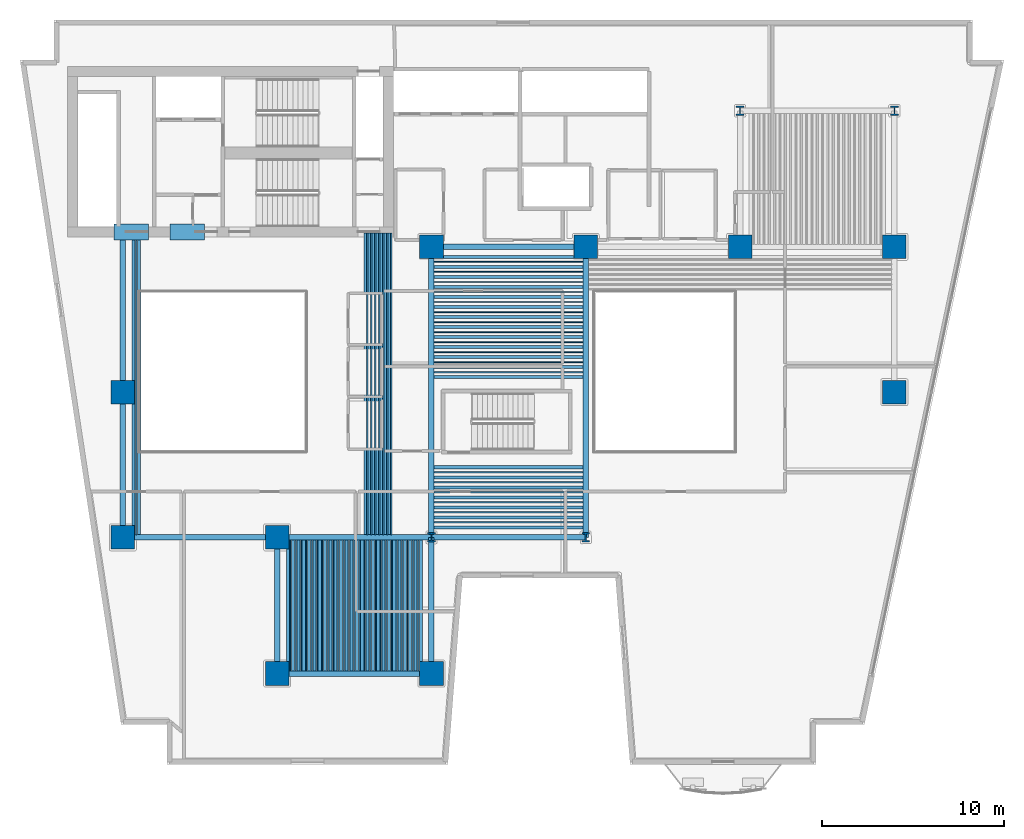
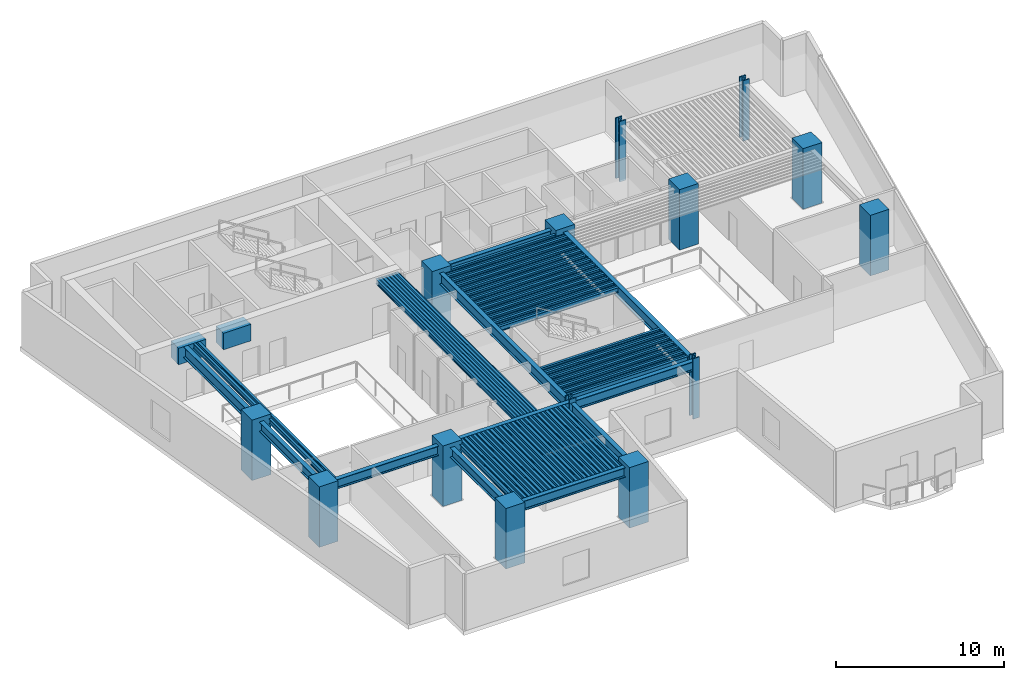
# One storey, part 1 of 12: 119 beams, 14 columns.
"""IFC4 building model written with IfcOpenShell, lengths in metres."""

from ifc_helpers import new_model, si_unit, direction, frame, origin, origin_2d, place, context, subcontext, project, spatial, rectangle, hollow_rectangle, i_section, extrude, material, material_profile, profile_set, type_object, element, save


model = new_model("IFC4")

# Units and contexts
model_context = context("Model", 3, precision=1e-05, world=origin(), true_north=direction((0.0, 1.0)))
body_context = subcontext(model_context, "Body", "Model", "MODEL_VIEW")
ifc_project = project(units=[si_unit("LENGTHUNIT", "METRE"), si_unit("AREAUNIT", "SQUARE_METRE"), si_unit("VOLUMEUNIT", "CUBIC_METRE"), si_unit("PLANEANGLEUNIT", "RADIAN"), si_unit("MASSUNIT", "GRAM", prefix="KILO")], contexts=[model_context])

# Site, building, storey
site_placement = place(None, origin())
site = spatial("IfcSite", under=ifc_project, at=site_placement, CompositionType="ELEMENT")
building_placement = place(site_placement, origin())
building = spatial("IfcBuilding", under=site, at=building_placement, Name="Caeloran Harvest Quay", CompositionType="ELEMENT")
storey_placement = place(building_placement, frame((0.0, 0.0, 71.0)))
storey = spatial("IfcBuildingStorey", under=building, at=storey_placement, Name="L16", CompositionType="ELEMENT", Elevation=71.0)

# Columns
ifc_material_1 = material(Name="Concrete C80/95", Category="concrete")
ifc_material_profile_1 = material_profile(ifc_material_1, rectangle(XDim=1.300048828125, YDim=1.300048828125, at=origin_2d()), Name="RC 1300x1300")
ifc_profile_set_1 = profile_set([ifc_material_profile_1], Name="Concrete C80/95")
column_type_1 = type_object("IfcColumnType", Name="COL-MC-2-RC_1300x1300", PredefinedType="COLUMN", material=ifc_profile_set_1)
for number, where, z_axis, x_axis, name in (
    (1, (8.5, 15.0, 0.0), (0.0, 0.0, 1.0), (1.0, 0.0, 0.0), "L16 Structural Column (8.5, 15.0)"),
    (2, (8.5, 23.0, 0.0), (0.0, 0.0, 1.0), (1.0, 0.0, 0.0), "L16 Structural Column (8.5, 23.0)"),
    (3, (17.0, 7.5, 0.0), (0.0, 0.0, 1.0), (1.0, 0.0, 0.0), "L16 Structural Column (17.0, 7.5)"),
    (4, (17.0, 15.0, 0.0), (0.0, 0.0, 1.0), (1.0, 0.0, 0.0), "L16 Structural Column (17.0, 15.0)"),
    (5, (25.5, 7.5, 0.0), (0.0, 0.0, 1.0), (1.0, 0.0, 0.0), "L16 Structural Column (25.5, 7.5)"),
    (6, (25.5, 31.0, 0.0), (0.0, 0.0, 1.0), (1.0, 0.0, 0.0), "L16 Structural Column (25.5, 31.0)"),
    (7, (34.0, 31.0, 0.0), (0.0, 0.0, 1.0), (1.0, 0.0, 0.0), "L16 Structural Column (34.0, 31.0)"),
    (8, (42.5, 31.0, 0.0), (0.0, 0.0, 1.0), (1.0, 0.0, 0.0), "L16 Structural Column (42.5, 31.0)"),
    (9, (51.0, 23.0, 0.0), (0.0, 0.0, 1.0), (1.0, 0.0, 0.0), "L16 Structural Column (51.0, 23.0)"),
    (10, (51.0, 31.0, 0.0), (0.0, 0.0, 1.0), (1.0, 0.0, 0.0), "L16 Structural Column (51.0, 31.0)"),
):
    element("IfcColumn", number, at=place(storey_placement, frame(where, z_axis=z_axis, x_axis=x_axis)), inside=storey, type_object=column_type_1, Name=name, PredefinedType="COLUMN", context=body_context, shape_type="SweptSolid", body=[
        extrude(rectangle(XDim=1.300048828125, YDim=1.300048828125, at=origin_2d()), origin(), (0.0, 0.0, 1.0), 4.39990234375),
    ])
ifc_material_2 = material(Name="Steel HISTAR 460", Category="steel")
ifc_material_profile_2 = material_profile(ifc_material_2, i_section(OverallWidth=0.43701171875, OverallDepth=0.513916015625, WebThickness=0.060546875, FlangeThickness=0.076904296875, FilletRadius=0.014892578125, at=origin_2d()), Name="HD 400x818")
ifc_profile_set_2 = profile_set([ifc_material_profile_2], Name="Steel HISTAR 460")
column_type_2 = type_object("IfcColumnType", Name="COL-SC-2-HD_400x818", PredefinedType="COLUMN", material=ifc_profile_set_2)
for number, where, z_axis, x_axis, name in (
    (11, (25.5, 15.0, 0.0), (0.0, 0.0, 1.0), (1.0, 0.0, 0.0), "L16 Structural Column (25.5, 15.0)"),
    (12, (34.0, 15.0, 0.0), (0.0, 0.0, 1.0), (1.0, 0.0, 0.0), "L16 Structural Column (34.0, 15.0)"),
    (13, (42.5, 38.5, 0.0), (0.0, 0.0, 1.0), (1.0, 0.0, 0.0), "L16 Structural Column (42.5, 38.5)"),
    (14, (51.0, 38.5, 0.0), (0.0, 0.0, 1.0), (1.0, 0.0, 0.0), "L16 Structural Column (51.0, 38.5)"),
):
    element("IfcColumn", number, at=place(storey_placement, frame(where, z_axis=z_axis, x_axis=x_axis)), inside=storey, type_object=column_type_2, Name=name, PredefinedType="COLUMN", context=body_context, shape_type="SweptSolid", body=[
        extrude(i_section(OverallWidth=0.43701171875, OverallDepth=0.513916015625, WebThickness=0.060546875, FlangeThickness=0.076904296875, FilletRadius=0.014892578125, at=origin_2d()), origin(), (0.0, 0.0, 1.0), 4.39990234375),
    ])

# Beams
ifc_material_profile_3 = material_profile(ifc_material_1, rectangle(XDim=0.89990234375, YDim=1.199951171875, at=origin_2d()), Name="RC 900x1200")
ifc_profile_set_3 = profile_set([ifc_material_profile_3], Name="Concrete C80/95")
beam_type_1 = type_object("IfcBeamType", Name="BM-CB-1-RC_900x1200", PredefinedType="LINTEL", material=ifc_profile_set_3)
for number, where, z_axis, x_axis, name in (
    (15, (8.0, 31.824951171875, 3.5), (1.0, 0.0, 0.0), (0.0, 1.0, 0.0), "L16 Core Coupling Beam 1"),
    (16, (11.10009765625, 31.824951171875, 3.5), (1.0, 0.0, 0.0), (0.0, 1.0, 0.0), "L16 Core Coupling Beam 2"),
):
    element("IfcBeam", number, at=place(storey_placement, frame(where, z_axis=z_axis, x_axis=x_axis)), inside=storey, type_object=beam_type_1, Name=name, PredefinedType="LINTEL", context=body_context, shape_type="SweptSolid", body=[
        extrude(rectangle(XDim=0.89990234375, YDim=1.199951171875, at=origin_2d()), origin(), (0.0, 0.0, 1.0), 1.89990234375),
    ])
ifc_material_3 = material(Name="Steel S355J2", Category="steel")
ifc_material_profile_4 = material_profile(ifc_material_3, i_section(OverallWidth=0.300048828125, OverallDepth=0.800048828125, WebThickness=0.017578125, FlangeThickness=0.032958984375, FilletRadius=0.030029296875, at=origin_2d()), Name="HE 800 B")
ifc_profile_set_4 = profile_set([ifc_material_profile_4], Name="Steel S355J2")
beam_type_2 = type_object("IfcBeamType", Name="BM-PG-1-HE_800_B", PredefinedType="BEAM", material=ifc_profile_set_4)
beam_1_placement = place(storey_placement, frame((8.5, 23.0, 3.699951171875), z_axis=(0.0, 1.0, 0.0), x_axis=(-1.0, 0.0, 0.0)))
element("IfcBeam", 17, at=beam_1_placement, inside=storey, type_object=beam_type_2, Name="L16 Core South Tie Girder X=8.5", PredefinedType="BEAM", context=body_context, shape_type="SweptSolid", body=[
    extrude(i_section(OverallWidth=0.300048828125, OverallDepth=0.800048828125, WebThickness=0.017578125, FlangeThickness=0.032958984375, FilletRadius=0.030029296875, at=origin_2d()), origin(), (0.0, 0.0, 1.0), 8.77490234375),
])
for number, where, z_axis, x_axis, name in (
    (18, (25.5, 15.0, 3.699951171875), (0.0, 1.0, 0.0), (-1.0, 0.0, 0.0), "L16 Primary North-South Girder X=25.5"),
    (19, (34.0, 15.0, 3.699951171875), (0.0, 1.0, 0.0), (-1.0, 0.0, 0.0), "L16 Primary North-South Girder X=34.0"),
):
    element("IfcBeam", number, at=place(storey_placement, frame(where, z_axis=z_axis, x_axis=x_axis)), inside=storey, type_object=beam_type_2, Name=name, PredefinedType="BEAM", context=body_context, shape_type="SweptSolid", body=[
        extrude(i_section(OverallWidth=0.300048828125, OverallDepth=0.800048828125, WebThickness=0.017578125, FlangeThickness=0.032958984375, FilletRadius=0.030029296875, at=origin_2d()), origin(), (0.0, 0.0, 1.0), 16.0),
    ])
ifc_material_profile_5 = material_profile(ifc_material_3, i_section(OverallWidth=0.300048828125, OverallDepth=0.699951171875, WebThickness=0.01708984375, FlangeThickness=0.031982421875, FilletRadius=0.027099609375, at=origin_2d()), Name="HE 700 B")
ifc_profile_set_5 = profile_set([ifc_material_profile_5], Name="Steel S355J2")
beam_type_3 = type_object("IfcBeamType", Name="BM-PG-2-HE_700_B", PredefinedType="BEAM", material=ifc_profile_set_5)
for number, where, z_axis, x_axis, name in (
    (20, (17.0, 7.5, 3.75), (1.0, 0.0, 0.0), (0.0, 1.0, 0.0), "L16 Primary East-West Girder Y=7.5"),
    (21, (8.5, 15.0, 3.75), (1.0, 0.0, 0.0), (0.0, 1.0, 0.0), "L16 Primary East-West Girder Y=15.0"),
    (22, (17.0, 15.0, 3.75), (1.0, 0.0, 0.0), (0.0, 1.0, 0.0), "L16 Primary East-West Girder Y=15.0"),
    (23, (25.5, 15.0, 3.75), (1.0, 0.0, 0.0), (0.0, 1.0, 0.0), "L16 Primary East-West Girder Y=15.0"),
    (24, (25.5, 31.0, 3.75), (1.0, 0.0, 0.0), (0.0, 1.0, 0.0), "L16 Primary East-West Girder Y=31.0"),
):
    element("IfcBeam", number, at=place(storey_placement, frame(where, z_axis=z_axis, x_axis=x_axis)), inside=storey, type_object=beam_type_3, Name=name, PredefinedType="BEAM", context=body_context, shape_type="SweptSolid", body=[
        extrude(i_section(OverallWidth=0.300048828125, OverallDepth=0.699951171875, WebThickness=0.01708984375, FlangeThickness=0.031982421875, FilletRadius=0.027099609375, at=origin_2d()), origin(), (0.0, 0.0, 1.0), 8.5),
    ])
beam_2_placement = place(storey_placement, frame((8.5, 15.0, 3.75), z_axis=(0.0, 1.0, 0.0), x_axis=(-1.0, 0.0, 0.0)))
element("IfcBeam", 25, at=beam_2_placement, inside=storey, type_object=beam_type_3, Name="L16 Primary North-South Girder X=8.5", PredefinedType="BEAM", context=body_context, shape_type="SweptSolid", body=[
    extrude(i_section(OverallWidth=0.300048828125, OverallDepth=0.699951171875, WebThickness=0.01708984375, FlangeThickness=0.031982421875, FilletRadius=0.027099609375, at=origin_2d()), origin(), (0.0, 0.0, 1.0), 8.0),
])
for number, where, z_axis, x_axis, name in (
    (26, (17.0, 7.5, 3.75), (0.0, 1.0, 0.0), (-1.0, 0.0, 0.0), "L16 Primary North-South Girder X=17.0"),
    (27, (25.5, 7.5, 3.75), (0.0, 1.0, 0.0), (-1.0, 0.0, 0.0), "L16 Primary North-South Girder X=25.5"),
):
    element("IfcBeam", number, at=place(storey_placement, frame(where, z_axis=z_axis, x_axis=x_axis)), inside=storey, type_object=beam_type_3, Name=name, PredefinedType="BEAM", context=body_context, shape_type="SweptSolid", body=[
        extrude(i_section(OverallWidth=0.300048828125, OverallDepth=0.699951171875, WebThickness=0.01708984375, FlangeThickness=0.031982421875, FilletRadius=0.027099609375, at=origin_2d()), origin(), (0.0, 0.0, 1.0), 7.5),
    ])
ifc_material_profile_6 = material_profile(ifc_material_3, i_section(OverallWidth=0.169921875, OverallDepth=0.360107421875, WebThickness=0.008056640625, FlangeThickness=0.0126953125, FilletRadius=0.01806640625, at=origin_2d()), Name="IPE 360")
ifc_profile_set_6 = profile_set([ifc_material_profile_6], Name="Steel S355J2")
beam_type_4 = type_object("IfcBeamType", Name="BM-SB-5-IPE_360", PredefinedType="JOIST", material=ifc_profile_set_6)
for number, where, z_axis, x_axis, name in (
    (28, (17.586181640625, 7.64501953125, 3.919921875), (0.0, 1.0, 0.0), (-1.0, 0.0, 0.0), "L16 Secondary Composite Joist"),
    (29, (17.87939453125, 7.64501953125, 3.919921875), (0.0, 1.0, 0.0), (-1.0, 0.0, 0.0), "L16 Secondary Composite Joist"),
    (30, (18.17236328125, 7.64501953125, 3.919921875), (0.0, 1.0, 0.0), (-1.0, 0.0, 0.0), "L16 Secondary Composite Joist"),
    (31, (18.465576171875, 7.64501953125, 3.919921875), (0.0, 1.0, 0.0), (-1.0, 0.0, 0.0), "L16 Secondary Composite Joist"),
    (32, (18.758544921875, 7.64501953125, 3.919921875), (0.0, 1.0, 0.0), (-1.0, 0.0, 0.0), "L16 Secondary Composite Joist"),
    (33, (19.0517578125, 7.64501953125, 3.919921875), (0.0, 1.0, 0.0), (-1.0, 0.0, 0.0), "L16 Secondary Composite Joist"),
    (34, (19.3447265625, 7.64501953125, 3.919921875), (0.0, 1.0, 0.0), (-1.0, 0.0, 0.0), "L16 Secondary Composite Joist"),
    (35, (19.637939453125, 7.64501953125, 3.919921875), (0.0, 1.0, 0.0), (-1.0, 0.0, 0.0), "L16 Secondary Composite Joist"),
    (36, (19.930908203125, 7.64501953125, 3.919921875), (0.0, 1.0, 0.0), (-1.0, 0.0, 0.0), "L16 Secondary Composite Joist"),
    (37, (20.22412109375, 7.64501953125, 3.919921875), (0.0, 1.0, 0.0), (-1.0, 0.0, 0.0), "L16 Secondary Composite Joist"),
    (38, (20.51708984375, 7.64501953125, 3.919921875), (0.0, 1.0, 0.0), (-1.0, 0.0, 0.0), "L16 Secondary Composite Joist"),
    (39, (20.810302734375, 7.64501953125, 3.919921875), (0.0, 1.0, 0.0), (-1.0, 0.0, 0.0), "L16 Secondary Composite Joist"),
    (40, (21.103515625, 7.64501953125, 3.919921875), (0.0, 1.0, 0.0), (-1.0, 0.0, 0.0), "L16 Secondary Composite Joist"),
    (41, (21.396484375, 7.64501953125, 3.919921875), (0.0, 1.0, 0.0), (-1.0, 0.0, 0.0), "L16 Secondary Composite Joist"),
    (42, (21.689697265625, 7.64501953125, 3.919921875), (0.0, 1.0, 0.0), (-1.0, 0.0, 0.0), "L16 Secondary Composite Joist"),
    (43, (21.98291015625, 7.64501953125, 3.919921875), (0.0, 1.0, 0.0), (-1.0, 0.0, 0.0), "L16 Secondary Composite Joist"),
    (44, (22.27587890625, 7.64501953125, 3.919921875), (0.0, 1.0, 0.0), (-1.0, 0.0, 0.0), "L16 Secondary Composite Joist"),
    (45, (22.569091796875, 7.64501953125, 3.919921875), (0.0, 1.0, 0.0), (-1.0, 0.0, 0.0), "L16 Secondary Composite Joist"),
    (46, (22.862060546875, 7.64501953125, 3.919921875), (0.0, 1.0, 0.0), (-1.0, 0.0, 0.0), "L16 Secondary Composite Joist"),
    (47, (23.1552734375, 7.64501953125, 3.919921875), (0.0, 1.0, 0.0), (-1.0, 0.0, 0.0), "L16 Secondary Composite Joist"),
    (48, (23.4482421875, 7.64501953125, 3.919921875), (0.0, 1.0, 0.0), (-1.0, 0.0, 0.0), "L16 Secondary Composite Joist"),
    (49, (23.741455078125, 7.64501953125, 3.919921875), (0.0, 1.0, 0.0), (-1.0, 0.0, 0.0), "L16 Secondary Composite Joist"),
    (50, (24.034423828125, 7.64501953125, 3.919921875), (0.0, 1.0, 0.0), (-1.0, 0.0, 0.0), "L16 Secondary Composite Joist"),
    (51, (24.32763671875, 7.64501953125, 3.919921875), (0.0, 1.0, 0.0), (-1.0, 0.0, 0.0), "L16 Secondary Composite Joist"),
    (52, (24.62060546875, 7.64501953125, 3.919921875), (0.0, 1.0, 0.0), (-1.0, 0.0, 0.0), "L16 Secondary Composite Joist"),
    (53, (24.913818359375, 7.64501953125, 3.919921875), (0.0, 1.0, 0.0), (-1.0, 0.0, 0.0), "L16 Secondary Composite Joist"),
):
    element("IfcBeam", number, at=place(storey_placement, frame(where, z_axis=z_axis, x_axis=x_axis)), inside=storey, type_object=beam_type_4, Name=name, PredefinedType="JOIST", context=body_context, shape_type="SweptSolid", body=[
        extrude(i_section(OverallWidth=0.169921875, OverallDepth=0.360107421875, WebThickness=0.008056640625, FlangeThickness=0.0126953125, FilletRadius=0.01806640625, at=origin_2d()), origin(), (0.0, 0.0, 1.0), 7.2099609375),
    ])
for number, where, z_axis, x_axis, name in (
    (54, (9.086181640625, 15.14501953125, 3.919921875), (0.0, 1.0, 0.0), (-1.0, 0.0, 0.0), "L16 Secondary Composite Joist"),
    (55, (9.37939453125, 15.14501953125, 3.919921875), (0.0, 1.0, 0.0), (-1.0, 0.0, 0.0), "L16 Secondary Composite Joist"),
    (56, (21.855224609375, 15.14501953125, 3.919921875), (0.0, 1.0, 0.0), (-1.0, 0.0, 0.0), "L16 Secondary Composite Joist"),
    (57, (22.075927734375, 15.14501953125, 3.919921875), (0.0, 1.0, 0.0), (-1.0, 0.0, 0.0), "L16 Secondary Composite Joist"),
    (58, (22.296630859375, 15.14501953125, 3.919921875), (0.0, 1.0, 0.0), (-1.0, 0.0, 0.0), "L16 Secondary Composite Joist"),
    (59, (22.51708984375, 15.14501953125, 3.919921875), (0.0, 1.0, 0.0), (-1.0, 0.0, 0.0), "L16 Secondary Composite Joist"),
    (60, (22.73779296875, 15.14501953125, 3.919921875), (0.0, 1.0, 0.0), (-1.0, 0.0, 0.0), "L16 Secondary Composite Joist"),
    (61, (22.95849609375, 15.14501953125, 3.919921875), (0.0, 1.0, 0.0), (-1.0, 0.0, 0.0), "L16 Secondary Composite Joist"),
    (62, (23.17919921875, 15.14501953125, 3.919921875), (0.0, 1.0, 0.0), (-1.0, 0.0, 0.0), "L16 Secondary Composite Joist"),
):
    element("IfcBeam", number, at=place(storey_placement, frame(where, z_axis=z_axis, x_axis=x_axis)), inside=storey, type_object=beam_type_4, Name=name, PredefinedType="JOIST", context=body_context, shape_type="SweptSolid", body=[
        extrude(i_section(OverallWidth=0.169921875, OverallDepth=0.360107421875, WebThickness=0.008056640625, FlangeThickness=0.0126953125, FilletRadius=0.01806640625, at=origin_2d()), origin(), (0.0, 0.0, 1.0), 16.6298828125),
    ])
for number, where, z_axis, x_axis, name in (
    (63, (25.64501953125, 15.5517578125, 3.919921875), (1.0, 0.0, 0.0), (0.0, 1.0, 0.0), "L16 Secondary East-West Composite Joist"),
    (64, (25.64501953125, 16.103515625, 3.919921875), (1.0, 0.0, 0.0), (0.0, 1.0, 0.0), "L16 Secondary East-West Composite Joist"),
    (65, (25.64501953125, 16.6552734375, 3.919921875), (1.0, 0.0, 0.0), (0.0, 1.0, 0.0), "L16 Secondary East-West Composite Joist"),
    (66, (25.64501953125, 17.206787109375, 3.919921875), (1.0, 0.0, 0.0), (0.0, 1.0, 0.0), "L16 Secondary East-West Composite Joist"),
    (67, (25.64501953125, 17.758544921875, 3.919921875), (1.0, 0.0, 0.0), (0.0, 1.0, 0.0), "L16 Secondary East-West Composite Joist"),
    (68, (25.64501953125, 18.310302734375, 3.919921875), (1.0, 0.0, 0.0), (0.0, 1.0, 0.0), "L16 Secondary East-West Composite Joist"),
    (69, (25.64501953125, 18.862060546875, 3.919921875), (1.0, 0.0, 0.0), (0.0, 1.0, 0.0), "L16 Secondary East-West Composite Joist"),
    (70, (25.64501953125, 23.82763671875, 3.919921875), (1.0, 0.0, 0.0), (0.0, 1.0, 0.0), "L16 Secondary East-West Composite Joist"),
    (71, (25.64501953125, 24.37939453125, 3.919921875), (1.0, 0.0, 0.0), (0.0, 1.0, 0.0), "L16 Secondary East-West Composite Joist"),
    (72, (25.64501953125, 24.930908203125, 3.919921875), (1.0, 0.0, 0.0), (0.0, 1.0, 0.0), "L16 Secondary East-West Composite Joist"),
    (73, (25.64501953125, 25.48291015625, 3.919921875), (1.0, 0.0, 0.0), (0.0, 1.0, 0.0), "L16 Secondary East-West Composite Joist"),
    (74, (25.64501953125, 26.034423828125, 3.919921875), (1.0, 0.0, 0.0), (0.0, 1.0, 0.0), "L16 Secondary East-West Composite Joist"),
    (75, (25.64501953125, 26.586181640625, 3.919921875), (1.0, 0.0, 0.0), (0.0, 1.0, 0.0), "L16 Secondary East-West Composite Joist"),
    (76, (25.64501953125, 27.137939453125, 3.919921875), (1.0, 0.0, 0.0), (0.0, 1.0, 0.0), "L16 Secondary East-West Composite Joist"),
    (77, (25.64501953125, 27.689697265625, 3.919921875), (1.0, 0.0, 0.0), (0.0, 1.0, 0.0), "L16 Secondary East-West Composite Joist"),
    (78, (25.64501953125, 28.241455078125, 3.919921875), (1.0, 0.0, 0.0), (0.0, 1.0, 0.0), "L16 Secondary East-West Composite Joist"),
    (79, (25.64501953125, 28.793212890625, 3.919921875), (1.0, 0.0, 0.0), (0.0, 1.0, 0.0), "L16 Secondary East-West Composite Joist"),
    (80, (25.64501953125, 29.3447265625, 3.919921875), (1.0, 0.0, 0.0), (0.0, 1.0, 0.0), "L16 Secondary East-West Composite Joist"),
    (81, (25.64501953125, 29.896484375, 3.919921875), (1.0, 0.0, 0.0), (0.0, 1.0, 0.0), "L16 Secondary East-West Composite Joist"),
    (82, (25.64501953125, 30.4482421875, 3.919921875), (1.0, 0.0, 0.0), (0.0, 1.0, 0.0), "L16 Secondary East-West Composite Joist"),
):
    element("IfcBeam", number, at=place(storey_placement, frame(where, z_axis=z_axis, x_axis=x_axis)), inside=storey, type_object=beam_type_4, Name=name, PredefinedType="JOIST", context=body_context, shape_type="SweptSolid", body=[
        extrude(i_section(OverallWidth=0.169921875, OverallDepth=0.360107421875, WebThickness=0.008056640625, FlangeThickness=0.0126953125, FilletRadius=0.01806640625, at=origin_2d()), origin(), (0.0, 0.0, 1.0), 8.2099609375),
    ])
ifc_material_profile_7 = material_profile(ifc_material_3, hollow_rectangle(XDim=0.080078125, YDim=0.199951171875, WallThickness=0.006103515625, InnerFilletRadius=0.006103515625, OuterFilletRadius=0.009033203125, at=origin_2d()), Name="RHS 200x80x6")
ifc_profile_set_7 = profile_set([ifc_material_profile_7], Name="Steel S355J2")
beam_type_5 = type_object("IfcBeamType", Name="BM-SB-7-RHS_200x80x6", PredefinedType="JOIST", material=ifc_profile_set_7)
for number, where, z_axis, x_axis, name in (
    (83, (17.73291015625, 7.64501953125, 4.0), (0.0, 1.0, 0.0), (-1.0, 0.0, 0.0), "L16 Secondary Composite Joist"),
    (84, (18.02587890625, 7.64501953125, 4.0), (0.0, 1.0, 0.0), (-1.0, 0.0, 0.0), "L16 Secondary Composite Joist"),
    (85, (18.319091796875, 7.64501953125, 4.0), (0.0, 1.0, 0.0), (-1.0, 0.0, 0.0), "L16 Secondary Composite Joist"),
    (86, (18.612060546875, 7.64501953125, 4.0), (0.0, 1.0, 0.0), (-1.0, 0.0, 0.0), "L16 Secondary Composite Joist"),
    (87, (18.9052734375, 7.64501953125, 4.0), (0.0, 1.0, 0.0), (-1.0, 0.0, 0.0), "L16 Secondary Composite Joist"),
    (88, (19.1982421875, 7.64501953125, 4.0), (0.0, 1.0, 0.0), (-1.0, 0.0, 0.0), "L16 Secondary Composite Joist"),
    (89, (19.491455078125, 7.64501953125, 4.0), (0.0, 1.0, 0.0), (-1.0, 0.0, 0.0), "L16 Secondary Composite Joist"),
    (90, (19.784423828125, 7.64501953125, 4.0), (0.0, 1.0, 0.0), (-1.0, 0.0, 0.0), "L16 Secondary Composite Joist"),
    (91, (20.07763671875, 7.64501953125, 4.0), (0.0, 1.0, 0.0), (-1.0, 0.0, 0.0), "L16 Secondary Composite Joist"),
    (92, (20.37060546875, 7.64501953125, 4.0), (0.0, 1.0, 0.0), (-1.0, 0.0, 0.0), "L16 Secondary Composite Joist"),
    (93, (20.663818359375, 7.64501953125, 4.0), (0.0, 1.0, 0.0), (-1.0, 0.0, 0.0), "L16 Secondary Composite Joist"),
    (94, (20.956787109375, 7.64501953125, 4.0), (0.0, 1.0, 0.0), (-1.0, 0.0, 0.0), "L16 Secondary Composite Joist"),
    (95, (21.25, 7.64501953125, 4.0), (0.0, 1.0, 0.0), (-1.0, 0.0, 0.0), "L16 Secondary Composite Joist"),
    (96, (21.543212890625, 7.64501953125, 4.0), (0.0, 1.0, 0.0), (-1.0, 0.0, 0.0), "L16 Secondary Composite Joist"),
    (97, (21.836181640625, 7.64501953125, 4.0), (0.0, 1.0, 0.0), (-1.0, 0.0, 0.0), "L16 Secondary Composite Joist"),
    (98, (22.12939453125, 7.64501953125, 4.0), (0.0, 1.0, 0.0), (-1.0, 0.0, 0.0), "L16 Secondary Composite Joist"),
    (99, (22.42236328125, 7.64501953125, 4.0), (0.0, 1.0, 0.0), (-1.0, 0.0, 0.0), "L16 Secondary Composite Joist"),
    (100, (22.715576171875, 7.64501953125, 4.0), (0.0, 1.0, 0.0), (-1.0, 0.0, 0.0), "L16 Secondary Composite Joist"),
    (101, (23.008544921875, 7.64501953125, 4.0), (0.0, 1.0, 0.0), (-1.0, 0.0, 0.0), "L16 Secondary Composite Joist"),
    (102, (23.3017578125, 7.64501953125, 4.0), (0.0, 1.0, 0.0), (-1.0, 0.0, 0.0), "L16 Secondary Composite Joist"),
    (103, (23.5947265625, 7.64501953125, 4.0), (0.0, 1.0, 0.0), (-1.0, 0.0, 0.0), "L16 Secondary Composite Joist"),
    (104, (23.887939453125, 7.64501953125, 4.0), (0.0, 1.0, 0.0), (-1.0, 0.0, 0.0), "L16 Secondary Composite Joist"),
    (105, (24.180908203125, 7.64501953125, 4.0), (0.0, 1.0, 0.0), (-1.0, 0.0, 0.0), "L16 Secondary Composite Joist"),
    (106, (24.47412109375, 7.64501953125, 4.0), (0.0, 1.0, 0.0), (-1.0, 0.0, 0.0), "L16 Secondary Composite Joist"),
    (107, (24.76708984375, 7.64501953125, 4.0), (0.0, 1.0, 0.0), (-1.0, 0.0, 0.0), "L16 Secondary Composite Joist"),
):
    element("IfcBeam", number, at=place(storey_placement, frame(where, z_axis=z_axis, x_axis=x_axis)), inside=storey, type_object=beam_type_5, Name=name, PredefinedType="JOIST", context=body_context, shape_type="SweptSolid", body=[
        extrude(hollow_rectangle(XDim=0.080078125, YDim=0.199951171875, WallThickness=0.006103515625, InnerFilletRadius=0.006103515625, OuterFilletRadius=0.009033203125, at=origin_2d()), origin(), (0.0, 0.0, 1.0), 7.2099609375),
    ])
for number, where, z_axis, x_axis, name in (
    (108, (9.23291015625, 15.14501953125, 4.0), (0.0, 1.0, 0.0), (-1.0, 0.0, 0.0), "L16 Secondary Composite Joist"),
    (109, (21.965576171875, 15.14501953125, 4.0), (0.0, 1.0, 0.0), (-1.0, 0.0, 0.0), "L16 Secondary Composite Joist"),
    (110, (22.186279296875, 15.14501953125, 4.0), (0.0, 1.0, 0.0), (-1.0, 0.0, 0.0), "L16 Secondary Composite Joist"),
    (111, (22.406982421875, 15.14501953125, 4.0), (0.0, 1.0, 0.0), (-1.0, 0.0, 0.0), "L16 Secondary Composite Joist"),
    (112, (22.627685546875, 15.14501953125, 4.0), (0.0, 1.0, 0.0), (-1.0, 0.0, 0.0), "L16 Secondary Composite Joist"),
    (113, (22.848388671875, 15.14501953125, 4.0), (0.0, 1.0, 0.0), (-1.0, 0.0, 0.0), "L16 Secondary Composite Joist"),
    (114, (23.069091796875, 15.14501953125, 4.0), (0.0, 1.0, 0.0), (-1.0, 0.0, 0.0), "L16 Secondary Composite Joist"),
    (115, (23.289794921875, 15.14501953125, 4.0), (0.0, 1.0, 0.0), (-1.0, 0.0, 0.0), "L16 Secondary Composite Joist"),
):
    element("IfcBeam", number, at=place(storey_placement, frame(where, z_axis=z_axis, x_axis=x_axis)), inside=storey, type_object=beam_type_5, Name=name, PredefinedType="JOIST", context=body_context, shape_type="SweptSolid", body=[
        extrude(hollow_rectangle(XDim=0.080078125, YDim=0.199951171875, WallThickness=0.006103515625, InnerFilletRadius=0.006103515625, OuterFilletRadius=0.009033203125, at=origin_2d()), origin(), (0.0, 0.0, 1.0), 16.6298828125),
    ])
for number, where, z_axis, x_axis, name in (
    (116, (25.64501953125, 15.82763671875, 4.0), (1.0, 0.0, 0.0), (0.0, 1.0, 0.0), "L16 Secondary East-West Composite Joist"),
    (117, (25.64501953125, 16.37939453125, 4.0), (1.0, 0.0, 0.0), (0.0, 1.0, 0.0), "L16 Secondary East-West Composite Joist"),
    (118, (25.64501953125, 16.930908203125, 4.0), (1.0, 0.0, 0.0), (0.0, 1.0, 0.0), "L16 Secondary East-West Composite Joist"),
    (119, (25.64501953125, 17.48291015625, 4.0), (1.0, 0.0, 0.0), (0.0, 1.0, 0.0), "L16 Secondary East-West Composite Joist"),
    (120, (25.64501953125, 18.034423828125, 4.0), (1.0, 0.0, 0.0), (0.0, 1.0, 0.0), "L16 Secondary East-West Composite Joist"),
    (121, (25.64501953125, 18.586181640625, 4.0), (1.0, 0.0, 0.0), (0.0, 1.0, 0.0), "L16 Secondary East-West Composite Joist"),
    (122, (25.64501953125, 24.103515625, 4.0), (1.0, 0.0, 0.0), (0.0, 1.0, 0.0), "L16 Secondary East-West Composite Joist"),
    (123, (25.64501953125, 24.6552734375, 4.0), (1.0, 0.0, 0.0), (0.0, 1.0, 0.0), "L16 Secondary East-West Composite Joist"),
    (124, (25.64501953125, 25.206787109375, 4.0), (1.0, 0.0, 0.0), (0.0, 1.0, 0.0), "L16 Secondary East-West Composite Joist"),
    (125, (25.64501953125, 25.758544921875, 4.0), (1.0, 0.0, 0.0), (0.0, 1.0, 0.0), "L16 Secondary East-West Composite Joist"),
    (126, (25.64501953125, 26.310302734375, 4.0), (1.0, 0.0, 0.0), (0.0, 1.0, 0.0), "L16 Secondary East-West Composite Joist"),
    (127, (25.64501953125, 26.862060546875, 4.0), (1.0, 0.0, 0.0), (0.0, 1.0, 0.0), "L16 Secondary East-West Composite Joist"),
    (128, (25.64501953125, 27.413818359375, 4.0), (1.0, 0.0, 0.0), (0.0, 1.0, 0.0), "L16 Secondary East-West Composite Joist"),
    (129, (25.64501953125, 27.965576171875, 4.0), (1.0, 0.0, 0.0), (0.0, 1.0, 0.0), "L16 Secondary East-West Composite Joist"),
    (130, (25.64501953125, 28.51708984375, 4.0), (1.0, 0.0, 0.0), (0.0, 1.0, 0.0), "L16 Secondary East-West Composite Joist"),
    (131, (25.64501953125, 29.069091796875, 4.0), (1.0, 0.0, 0.0), (0.0, 1.0, 0.0), "L16 Secondary East-West Composite Joist"),
    (132, (25.64501953125, 29.62060546875, 4.0), (1.0, 0.0, 0.0), (0.0, 1.0, 0.0), "L16 Secondary East-West Composite Joist"),
    (133, (25.64501953125, 30.17236328125, 4.0), (1.0, 0.0, 0.0), (0.0, 1.0, 0.0), "L16 Secondary East-West Composite Joist"),
):
    element("IfcBeam", number, at=place(storey_placement, frame(where, z_axis=z_axis, x_axis=x_axis)), inside=storey, type_object=beam_type_5, Name=name, PredefinedType="JOIST", context=body_context, shape_type="SweptSolid", body=[
        extrude(hollow_rectangle(XDim=0.080078125, YDim=0.199951171875, WallThickness=0.006103515625, InnerFilletRadius=0.006103515625, OuterFilletRadius=0.009033203125, at=origin_2d()), origin(), (0.0, 0.0, 1.0), 8.2099609375),
    ])

save(model, "model.ifc")
